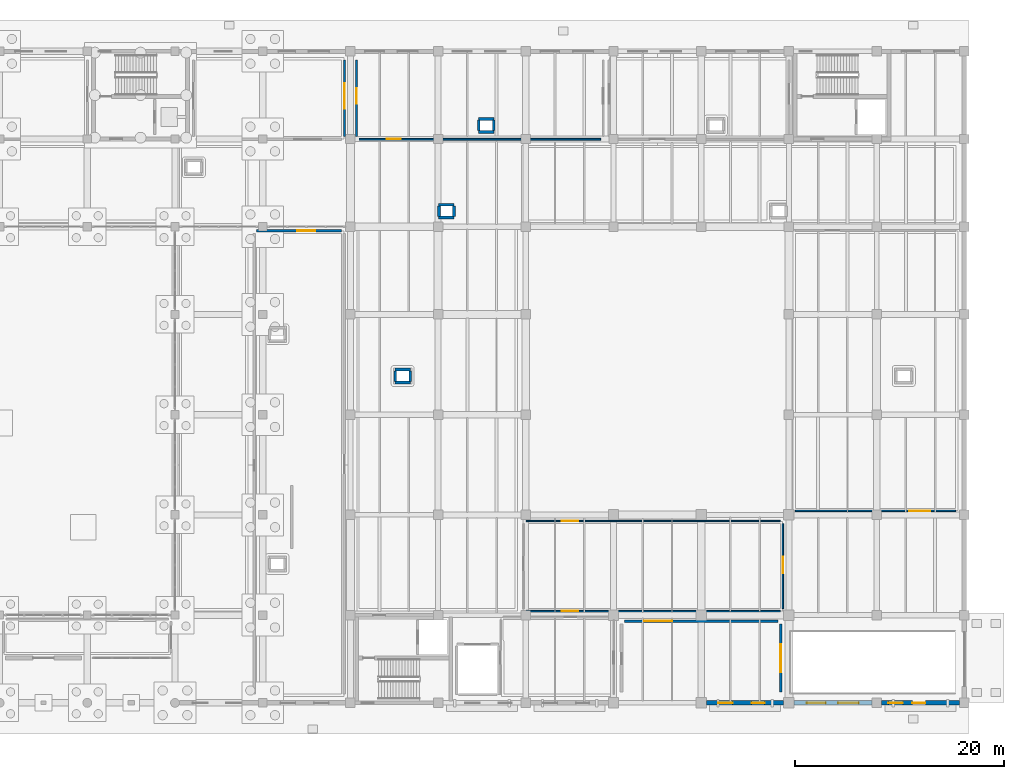
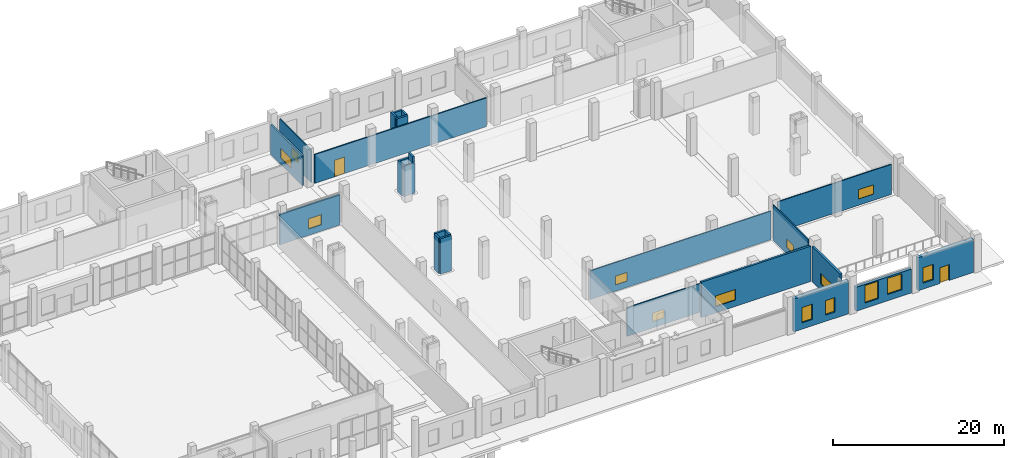
# One storey, part 47 of 65: 25 walls, 14 windows, 2 doors, 16 openings.
"""IFC4 building model written with IfcOpenShell, lengths in metres."""

from ifc_helpers import new_model, si_unit, direction, frame, frame_2d, origin, place, context, subcontext, project, spatial, rectangle, extrude, material, layer, layer_set, type_object, element, fill, save


model = new_model("IFC4")

# Units and contexts
model_context = context("Model", 3, precision=1e-05, world=origin(), true_north=direction((0.0, 1.0)))
body_context = subcontext(model_context, "Body", "Model", "MODEL_VIEW")
ifc_project = project(units=[si_unit("LENGTHUNIT", "METRE"), si_unit("AREAUNIT", "SQUARE_METRE"), si_unit("VOLUMEUNIT", "CUBIC_METRE"), si_unit("PLANEANGLEUNIT", "RADIAN"), si_unit("MASSUNIT", "GRAM", prefix="KILO")], contexts=[model_context])

# Site, building, storey
site_placement = place(None, origin())
site = spatial("IfcSite", under=ifc_project, at=site_placement, CompositionType="ELEMENT")
building_placement = place(site_placement, origin())
building = spatial("IfcBuilding", under=site, at=building_placement, Name="Zulmaris Art Gallery", CompositionType="ELEMENT")
storey_placement = place(building_placement, origin())
storey = spatial("IfcBuildingStorey", under=building, at=storey_placement, Name="L00", CompositionType="ELEMENT", Elevation=0.0)

# Wall, openings, windows
ifc_material_1 = material(Name="Omani Cream Limestone Ashlar Masonry", Category="masonry")
ifc_layer_1 = layer(ifc_material_1, 0.43994140625)
ifc_layer_set_1 = layer_set([ifc_layer_1], Name="Omani Cream Limestone Ashlar Masonry")
wall_type_1 = type_object("IfcWallType", Name="ENV-WALL-EW01", PredefinedType="SOLIDWALL", material=ifc_layer_set_1)
wall_1_placement = place(storey_placement, frame((175.701904296875, 13.199951171875, 0.0), z_axis=(0.0, 0.0, 1.0), x_axis=(1.0, 0.0, 0.0)))
wall_1 = element("IfcWall", 1, at=wall_1_placement, inside=storey, type_object=wall_type_1, Name="L00 V5 South Facade Bay 4", PredefinedType="SOLIDWALL", context=body_context, shape_type="SweptSolid", body=[
    extrude(rectangle(XDim=7.39599609375, YDim=0.43994140625, at=frame_2d((3.697998046875, 0.0))), origin(), (0.0, 0.0, 1.0), 4.68994140625),
])
opening_1_placement = place(wall_1_placement, frame((1.117919921875, 0.0, 0.89990234375)))
opening_1 = element("IfcOpeningElement", 2, at=opening_1_placement, cuts=wall_1, Name="Opening W04", PredefinedType="OPENING", context=body_context, shape_type="SweptSolid", body=[
    extrude(rectangle(XDim=1.39990234375, YDim=2.199951171875, at=frame_2d((0.699951171875, 1.10009765625))), frame((0.0, 0.22998046875, 0.0), z_axis=(0.0, -1.0, 0.0), x_axis=(1.0, 0.0, 0.0)), (0.0, 0.0, 1.0), 0.4599609375),
])
opening_2_placement = place(wall_1_placement, frame((4.318115234375, 0.0, 0.89990234375)))
opening_2 = element("IfcOpeningElement", 3, at=opening_2_placement, cuts=wall_1, Name="Opening W10", PredefinedType="OPENING", context=body_context, shape_type="SweptSolid", body=[
    extrude(rectangle(XDim=1.25, YDim=2.050048828125, at=frame_2d((0.625, 1.02490234375))), frame((0.0, 0.22998046875, 0.0), z_axis=(0.0, -1.0, 0.0), x_axis=(1.0, 0.0, 0.0)), (0.0, 0.0, 1.0), 0.4599609375),
])
ifc_material_2 = material(Name="Deep-Reveal Limestone Slot Window", Category="masonry")
window_type_1 = type_object("IfcWindowType", Name="WIN-W04", PartitioningType="SINGLE_PANEL", PredefinedType="WINDOW", material=ifc_material_2)
window_1_placement = place(opening_1_placement, origin())
window_1 = element("IfcWindow", 4, at=window_1_placement, inside=storey, type_object=window_type_1, Name="L00 exterior window W04", OverallHeight=2.199951171875, OverallWidth=1.39990234375, PartitioningType="SINGLE_PANEL", PredefinedType="WINDOW", context=body_context, shape_type="SweptSolid", body=[
    extrude(rectangle(XDim=1.39990234375, YDim=2.199951171875, at=frame_2d((0.699951171875, 1.10009765625))), frame((0.0, 0.030029296875, 0.0), z_axis=(0.0, -1.0, 0.0), x_axis=(1.0, 0.0, 0.0)), (0.0, 0.0, 1.0), 0.06005859375),
])
fill(opening_1, window_1)
ifc_material_3 = material(Name="Limestone Deep-Set Lancet Window", Category="masonry")
window_type_2 = type_object("IfcWindowType", Name="WIN-W10", PartitioningType="SINGLE_PANEL", PredefinedType="WINDOW", material=ifc_material_3)
window_2_placement = place(opening_2_placement, origin())
window_2 = element("IfcWindow", 5, at=window_2_placement, inside=storey, type_object=window_type_2, Name="L00 exterior window W10", OverallHeight=2.050048828125, OverallWidth=1.25, PartitioningType="SINGLE_PANEL", PredefinedType="WINDOW", context=body_context, shape_type="SweptSolid", body=[
    extrude(rectangle(XDim=1.25, YDim=2.050048828125, at=frame_2d((0.625, 1.02490234375))), frame((0.0, 0.030029296875, 0.0), z_axis=(0.0, -1.0, 0.0), x_axis=(1.0, 0.0, 0.0)), (0.0, 0.0, 1.0), 0.06005859375),
])
fill(opening_2, window_2)

wall_2_placement = place(storey_placement, frame((184.10205078125, 13.199951171875, 0.0), z_axis=(0.0, 0.0, 1.0), x_axis=(1.0, 0.0, 0.0)))
wall_2 = element("IfcWall", 6, at=wall_2_placement, inside=storey, type_object=wall_type_1, Name="L00 V5 South Service Facade Bay 5", PredefinedType="SOLIDWALL", context=body_context, shape_type="SweptSolid", body=[
    extrude(rectangle(XDim=7.446044921875, YDim=0.43994140625, at=frame_2d((3.72314453125, 0.0))), origin(), (0.0, 0.0, 1.0), 3.405029296875),
])
opening_3_placement = place(wall_2_placement, frame((1.218017578125, 0.0, 0.7548828125)))
opening_3 = element("IfcOpeningElement", 7, at=opening_3_placement, cuts=wall_2, Name="Opening W02", PredefinedType="OPENING", context=body_context, shape_type="SweptSolid", body=[
    extrude(rectangle(XDim=1.800048828125, YDim=2.5, at=frame_2d((0.89990234375, 1.25))), frame((0.0, 0.22998046875, 0.0), z_axis=(0.0, -1.0, 0.0), x_axis=(1.0, 0.0, 0.0)), (0.0, 0.0, 1.0), 0.4599609375),
])
opening_4_placement = place(wall_2_placement, frame((4.218017578125, 0.0, 0.89990234375)))
opening_4 = element("IfcOpeningElement", 8, at=opening_4_placement, cuts=wall_2, Name="Opening W08", PredefinedType="OPENING", context=body_context, shape_type="SweptSolid", body=[
    extrude(rectangle(XDim=1.949951171875, YDim=2.300048828125, at=frame_2d((0.97509765625, 1.14990234375))), frame((0.0, 0.22998046875, 0.0), z_axis=(0.0, -1.0, 0.0), x_axis=(1.0, 0.0, 0.0)), (0.0, 0.0, 1.0), 0.4599609375),
])
ifc_material_4 = material(Name="Double-Glazed Solar-Control Low-E Window", Category="glass")
window_type_3 = type_object("IfcWindowType", Name="WIN-W02", PartitioningType="SINGLE_PANEL", PredefinedType="WINDOW", material=ifc_material_4)
window_3_placement = place(opening_3_placement, origin())
window_3 = element("IfcWindow", 9, at=window_3_placement, inside=storey, type_object=window_type_3, Name="L00 exterior window W02", OverallHeight=2.5, OverallWidth=1.800048828125, PartitioningType="SINGLE_PANEL", PredefinedType="WINDOW", context=body_context, shape_type="SweptSolid", body=[
    extrude(rectangle(XDim=1.800048828125, YDim=2.5, at=frame_2d((0.89990234375, 1.25))), frame((0.0, 0.030029296875, 0.0), z_axis=(0.0, -1.0, 0.0), x_axis=(1.0, 0.0, 0.0)), (0.0, 0.0, 1.0), 0.06005859375),
])
fill(opening_3, window_3)
ifc_material_5 = material(Name="Curatorial North Studio Window", Category="glass")
window_type_4 = type_object("IfcWindowType", Name="WIN-W08", PartitioningType="SINGLE_PANEL", PredefinedType="WINDOW", material=ifc_material_5)
window_4_placement = place(opening_4_placement, origin())
window_4 = element("IfcWindow", 10, at=window_4_placement, inside=storey, type_object=window_type_4, Name="L00 exterior window W08", OverallHeight=2.300048828125, OverallWidth=1.949951171875, PartitioningType="SINGLE_PANEL", PredefinedType="WINDOW", context=body_context, shape_type="SweptSolid", body=[
    extrude(rectangle(XDim=1.949951171875, YDim=2.300048828125, at=frame_2d((0.97509765625, 1.14990234375))), frame((0.0, 0.030029296875, 0.0), z_axis=(0.0, -1.0, 0.0), x_axis=(1.0, 0.0, 0.0)), (0.0, 0.0, 1.0), 0.06005859375),
])
fill(opening_4, window_4)

# Wall, openings, door, window
wall_3_placement = place(storey_placement, frame((192.451904296875, 13.199951171875, 0.0), z_axis=(0.0, 0.0, 1.0), x_axis=(1.0, 0.0, 0.0)))
wall_3 = element("IfcWall", 11, at=wall_3_placement, inside=storey, type_object=wall_type_1, Name="L00 V5 Staff Entrance Facade", PredefinedType="SOLIDWALL", context=body_context, shape_type="SweptSolid", body=[
    extrude(rectangle(XDim=7.49609375, YDim=0.43994140625, at=frame_2d((3.748046875, 0.0))), origin(), (0.0, 0.0, 1.0), 4.68994140625),
])
opening_5_placement = place(wall_3_placement, frame((0.66796875, 0.0, 0.85009765625)))
opening_5 = element("IfcOpeningElement", 12, at=opening_5_placement, cuts=wall_3, Name="Opening W04", PredefinedType="OPENING", context=body_context, shape_type="SweptSolid", body=[
    extrude(rectangle(XDim=1.39990234375, YDim=2.199951171875, at=frame_2d((0.699951171875, 1.10009765625))), frame((0.0, 0.22998046875, 0.0), z_axis=(0.0, -1.0, 0.0), x_axis=(1.0, 0.0, 0.0)), (0.0, 0.0, 1.0), 0.4599609375),
])
opening_6_placement = place(wall_3_placement, frame((2.968017578125, 0.0, 0.0)))
opening_6 = element("IfcOpeningElement", 13, at=opening_6_placement, cuts=wall_3, Name="Opening ED04", PredefinedType="OPENING", context=body_context, shape_type="SweptSolid", body=[
    extrude(rectangle(XDim=1.25, YDim=2.25, at=frame_2d((0.625, 1.125))), frame((0.0, 0.22998046875, 0.0), z_axis=(0.0, -1.0, 0.0), x_axis=(1.0, 0.0, 0.0)), (0.0, 0.0, 1.0), 0.4599609375),
])
ifc_material_6 = material(Name="Staff & Cafe Exterior Door", Category="aluminium")
door_type_1 = type_object("IfcDoorType", Name="EDOOR-ED04", OperationType="SINGLE_SWING_RIGHT", PredefinedType="DOOR", material=ifc_material_6)
door_1_placement = place(opening_6_placement, origin())
door_1 = element("IfcDoor", 14, at=door_1_placement, inside=storey, type_object=door_type_1, Name="Staff & Curatorial Entrance Door", OperationType="SINGLE_SWING_RIGHT", OverallHeight=2.25, OverallWidth=1.25, PredefinedType="DOOR", context=body_context, shape_type="SweptSolid", body=[
    extrude(rectangle(XDim=1.25, YDim=2.25, at=frame_2d((0.625, 1.125))), frame((0.0, 0.02490234375, 0.0), z_axis=(0.0, -1.0, 0.0), x_axis=(1.0, 0.0, 0.0)), (0.0, 0.0, 1.0), 0.050048828125),
])
fill(opening_6, door_1)
window_5_placement = place(opening_5_placement, origin())
window_5 = element("IfcWindow", 15, at=window_5_placement, inside=storey, type_object=window_type_1, Name="L00 exterior window W04", OverallHeight=2.199951171875, OverallWidth=1.39990234375, PartitioningType="SINGLE_PANEL", PredefinedType="WINDOW", context=body_context, shape_type="SweptSolid", body=[
    extrude(rectangle(XDim=1.39990234375, YDim=2.199951171875, at=frame_2d((0.699951171875, 1.10009765625))), frame((0.0, 0.030029296875, 0.0), z_axis=(0.0, -1.0, 0.0), x_axis=(1.0, 0.0, 0.0)), (0.0, 0.0, 1.0), 0.06005859375),
])
fill(opening_5, window_5)

# Wall, opening, window
ifc_material_7 = material(Name="Light Gallery Backing Partition", Category="gypsum")
ifc_layer_2 = layer(ifc_material_7, 0.1298828125)
ifc_layer_set_2 = layer_set([ifc_layer_2], Name="Light Gallery Backing Partition")
wall_type_2 = type_object("IfcWallType", Name="IWALL-PW03", PredefinedType="PARTITIONING", material=ifc_layer_set_2)
wall_4_placement = place(storey_placement, frame((158.429931640625, 21.97998046875, 0.0), z_axis=(0.0, 0.0, 1.0), x_axis=(1.0, 0.0, 0.0)))
wall_4 = element("IfcWall", 16, at=wall_4_placement, inside=storey, type_object=wall_type_2, Name="Registrar Unpacking & Inspection Hall S partition", PredefinedType="PARTITIONING", context=body_context, shape_type="SweptSolid", body=[
    extrude(rectangle(XDim=24.340087890625, YDim=0.1298828125, at=frame_2d((12.169921875, 0.0))), origin(), (0.0, 0.0, 1.0), 4.090087890625),
])
opening_7_placement = place(wall_4_placement, frame((3.39990234375, 0.0, 0.89990234375)))
opening_7 = element("IfcOpeningElement", 17, at=opening_7_placement, cuts=wall_4, Name="Opening IW09", PredefinedType="OPENING", context=body_context, shape_type="SweptSolid", body=[
    extrude(rectangle(XDim=1.580078125, YDim=1.239990234375, at=frame_2d((0.7900390625, 0.6201171875))), frame((0.0, 0.074951171875, 0.0), z_axis=(0.0, -1.0, 0.0), x_axis=(1.0, 0.0, 0.0)), (0.0, 0.0, 1.0), 0.14990234375),
])
ifc_material_8 = material(Name="Registrar Inspection Glazing", Category="glass")
window_type_5 = type_object("IfcWindowType", Name="IWIN-IW09", PartitioningType="SINGLE_PANEL", PredefinedType="WINDOW", material=ifc_material_8)
window_6_placement = place(opening_7_placement, origin())
window_6 = element("IfcWindow", 18, at=window_6_placement, inside=storey, type_object=window_type_5, Name="L00 interior observation window IW09", OverallHeight=1.239990234375, OverallWidth=1.580078125, PartitioningType="SINGLE_PANEL", PredefinedType="WINDOW", context=body_context, shape_type="SweptSolid", body=[
    extrude(rectangle(XDim=1.580078125, YDim=1.239990234375, at=frame_2d((0.7900390625, 0.6201171875))), frame((0.0, 0.030029296875, 0.0), z_axis=(0.0, -1.0, 0.0), x_axis=(1.0, 0.0, 0.0)), (0.0, 0.0, 1.0), 0.06005859375),
])
fill(opening_7, window_6)

wall_5_placement = place(storey_placement, frame((158.429931640625, 30.6201171875, 0.0), z_axis=(0.0, 0.0, 1.0), x_axis=(1.0, 0.0, 0.0)))
wall_5 = element("IfcWall", 19, at=wall_5_placement, inside=storey, type_object=wall_type_2, Name="Registrar Unpacking & Inspection Hall N partition", PredefinedType="PARTITIONING", context=body_context, shape_type="SweptSolid", body=[
    extrude(rectangle(XDim=24.340087890625, YDim=0.1298828125, at=frame_2d((12.169921875, 0.0))), origin(), (0.0, 0.0, 1.0), 4.090087890625),
])
opening_8_placement = place(wall_5_placement, frame((3.39990234375, 0.0, 0.89990234375)))
opening_8 = element("IfcOpeningElement", 20, at=opening_8_placement, cuts=wall_5, Name="Opening IW09", PredefinedType="OPENING", context=body_context, shape_type="SweptSolid", body=[
    extrude(rectangle(XDim=1.580078125, YDim=1.239990234375, at=frame_2d((0.7900390625, 0.6201171875))), frame((0.0, 0.074951171875, 0.0), z_axis=(0.0, -1.0, 0.0), x_axis=(1.0, 0.0, 0.0)), (0.0, 0.0, 1.0), 0.14990234375),
])
window_7_placement = place(opening_8_placement, origin())
window_7 = element("IfcWindow", 21, at=window_7_placement, inside=storey, type_object=window_type_5, Name="L00 interior observation window IW09", OverallHeight=1.239990234375, OverallWidth=1.580078125, PartitioningType="SINGLE_PANEL", PredefinedType="WINDOW", context=body_context, shape_type="SweptSolid", body=[
    extrude(rectangle(XDim=1.580078125, YDim=1.239990234375, at=frame_2d((0.7900390625, 0.6201171875))), frame((0.0, 0.030029296875, 0.0), z_axis=(0.0, -1.0, 0.0), x_axis=(1.0, 0.0, 0.0)), (0.0, 0.0, 1.0), 0.06005859375),
])
fill(opening_8, window_7)

wall_6_placement = place(storey_placement, frame((183.02001953125, 22.22998046875, 0.0), z_axis=(0.0, 0.0, 1.0), x_axis=(0.0, 1.0, 0.0)))
wall_6 = element("IfcWall", 22, at=wall_6_placement, inside=storey, type_object=wall_type_2, Name="Registrar Unpacking & Inspection Hall E partition", PredefinedType="PARTITIONING", context=body_context, shape_type="SweptSolid", body=[
    extrude(rectangle(XDim=8.14013671875, YDim=0.1298828125, at=frame_2d((4.070068359375, 0.0))), origin(), (0.0, 0.0, 1.0), 5.0400390625),
])
opening_9_placement = place(wall_6_placement, frame((3.39990234375, 0.0, 0.89990234375)))
opening_9 = element("IfcOpeningElement", 23, at=opening_9_placement, cuts=wall_6, Name="Opening IW09", PredefinedType="OPENING", context=body_context, shape_type="SweptSolid", body=[
    extrude(rectangle(XDim=1.580078125, YDim=1.239990234375, at=frame_2d((0.7900390625, 0.6201171875))), frame((0.0, 0.074951171875, 0.0), z_axis=(0.0, -1.0, 0.0), x_axis=(1.0, 0.0, 0.0)), (0.0, 0.0, 1.0), 0.14990234375),
])
window_8_placement = place(opening_9_placement, origin())
window_8 = element("IfcWindow", 24, at=window_8_placement, inside=storey, type_object=window_type_5, Name="L00 interior observation window IW09", OverallHeight=1.239990234375, OverallWidth=1.580078125, PartitioningType="SINGLE_PANEL", PredefinedType="WINDOW", context=body_context, shape_type="SweptSolid", body=[
    extrude(rectangle(XDim=1.580078125, YDim=1.239990234375, at=frame_2d((0.7900390625, 0.6201171875))), frame((0.0, 0.030029296875, 0.0), z_axis=(0.0, -1.0, 0.0), x_axis=(1.0, 0.0, 0.0)), (0.0, 0.0, 1.0), 0.06005859375),
])
fill(opening_9, window_8)

ifc_material_9 = material(Name="Plywood-Backed Gallery Hanging Partition", Category="wood")
ifc_layer_3 = layer(ifc_material_9, 0.14501953125)
ifc_layer_set_3 = layer_set([ifc_layer_3], Name="Plywood-Backed Gallery Hanging Partition")
wall_type_3 = type_object("IfcWallType", Name="IWALL-PW04", PredefinedType="PARTITIONING", material=ifc_layer_set_3)
wall_7_placement = place(storey_placement, frame((184.22998046875, 31.580078125, 0.0), z_axis=(0.0, 0.0, 1.0), x_axis=(1.0, 0.0, 0.0)))
wall_7 = element("IfcWall", 25, at=wall_7_placement, inside=storey, type_object=wall_type_3, Name="Exhibition Mount-Making Workshop S partition", PredefinedType="PARTITIONING", context=body_context, shape_type="SweptSolid", body=[
    extrude(rectangle(XDim=15.340087890625, YDim=0.14501953125, at=frame_2d((7.669921875, 0.0))), origin(), (0.0, 0.0, 1.0), 4.2900390625),
])
opening_10_placement = place(wall_7_placement, frame((10.89990234375, 0.0, 0.89990234375)))
opening_10 = element("IfcOpeningElement", 26, at=opening_10_placement, cuts=wall_7, Name="Opening IW10", PredefinedType="OPENING", context=body_context, shape_type="SweptSolid", body=[
    extrude(rectangle(XDim=2.02001953125, YDim=1.320068359375, at=frame_2d((1.010009765625, 0.66015625))), frame((0.0, 0.08251953125, 0.0), z_axis=(0.0, -1.0, 0.0), x_axis=(1.0, 0.0, 0.0)), (0.0, 0.0, 1.0), 0.1650390625),
])
ifc_material_10 = material(Name="Seminar Acoustic Viewing Window", Category="glass")
window_type_6 = type_object("IfcWindowType", Name="IWIN-IW10", PartitioningType="SINGLE_PANEL", PredefinedType="WINDOW", material=ifc_material_10)
window_9_placement = place(opening_10_placement, origin())
window_9 = element("IfcWindow", 27, at=window_9_placement, inside=storey, type_object=window_type_6, Name="L00 interior observation window IW10", OverallHeight=1.320068359375, OverallWidth=2.02001953125, PartitioningType="SINGLE_PANEL", PredefinedType="WINDOW", context=body_context, shape_type="SweptSolid", body=[
    extrude(rectangle(XDim=2.02001953125, YDim=1.320068359375, at=frame_2d((1.010009765625, 0.66015625))), frame((0.0, 0.030029296875, 0.0), z_axis=(0.0, -1.0, 0.0), x_axis=(1.0, 0.0, 0.0)), (0.0, 0.0, 1.0), 0.06005859375),
])
fill(opening_10, window_9)

# Wall, opening, door
ifc_material_11 = material(Name="Timber-Backed Heavy Artwork Display Partition", Category="wood")
ifc_layer_4 = layer(ifc_material_11, 0.159912109375)
ifc_layer_set_4 = layer_set([ifc_layer_4], Name="Timber-Backed Heavy Artwork Display Partition")
wall_type_4 = type_object("IfcWallType", Name="IWALL-PW05", PredefinedType="PARTITIONING", material=ifc_layer_set_4)
wall_8_placement = place(storey_placement, frame((142.429931640625, 67.179931640625, 0.0), z_axis=(0.0, 0.0, 1.0), x_axis=(1.0, 0.0, 0.0)))
wall_8 = element("IfcWall", 28, at=wall_8_placement, inside=storey, type_object=wall_type_4, Name="Electrical Substation & Switchgear Hall S partition", PredefinedType="PARTITIONING", context=body_context, shape_type="SweptSolid", body=[
    extrude(rectangle(XDim=23.14013671875, YDim=0.159912109375, at=frame_2d((11.570068359375, 0.0))), origin(), (0.0, 0.0, 1.0), 4.090087890625),
])
opening_11_placement = place(wall_8_placement, frame((2.64990234375, 0.0, 0.0)))
opening_11 = element("IfcOpeningElement", 29, at=opening_11_placement, cuts=wall_8, Name="Opening D11", PredefinedType="OPENING", context=body_context, shape_type="SweptSolid", body=[
    extrude(rectangle(XDim=1.360107421875, YDim=2.360107421875, at=frame_2d((0.68017578125, 1.18017578125))), frame((0.0, 0.08984375, 0.0), z_axis=(0.0, -1.0, 0.0), x_axis=(1.0, 0.0, 0.0)), (0.0, 0.0, 1.0), 0.179931640625),
])
ifc_material_12 = material(Name="Workshop Acoustic Steel Door", Category="steel")
door_type_2 = type_object("IfcDoorType", Name="IDOOR-D11", OperationType="NOTDEFINED", PredefinedType="DOOR", material=ifc_material_12)
door_2_placement = place(opening_11_placement, origin())
door_2 = element("IfcDoor", 30, at=door_2_placement, inside=storey, type_object=door_type_2, Name="Electrical Substation & Switchgear Hall Door", OperationType="SINGLE_SWING_RIGHT", OverallHeight=2.360107421875, OverallWidth=1.360107421875, PredefinedType="DOOR", context=body_context, shape_type="SweptSolid", body=[
    extrude(rectangle(XDim=1.360107421875, YDim=2.360107421875, at=frame_2d((0.68017578125, 1.18017578125))), frame((0.0, 0.02490234375, 0.0), z_axis=(0.0, -1.0, 0.0), x_axis=(1.0, 0.0, 0.0)), (0.0, 0.0, 1.0), 0.050048828125),
])
fill(opening_11, door_2)

# Wall, opening, window
wall_9_placement = place(storey_placement, frame((142.179931640625, 67.429931640625, 0.0), z_axis=(0.0, 0.0, 1.0), x_axis=(0.0, 1.0, 0.0)))
wall_9 = element("IfcWall", 31, at=wall_9_placement, inside=storey, type_object=wall_type_4, Name="Electrical Substation & Switchgear Hall W partition", PredefinedType="PARTITIONING", context=body_context, shape_type="SweptSolid", body=[
    extrude(rectangle(XDim=7.340087890625, YDim=0.159912109375, at=frame_2d((3.669921875, 0.0))), origin(), (0.0, 0.0, 1.0), 4.64990234375),
])
opening_12_placement = place(wall_9_placement, frame((3.14990234375, 0.0, 0.89990234375)))
opening_12 = element("IfcOpeningElement", 32, at=opening_12_placement, cuts=wall_9, Name="Opening IW01", PredefinedType="OPENING", context=body_context, shape_type="SweptSolid", body=[
    extrude(rectangle(XDim=1.47998046875, YDim=1.35009765625, at=frame_2d((0.739990234375, 0.675048828125))), frame((0.0, 0.08984375, 0.0), z_axis=(0.0, -1.0, 0.0), x_axis=(1.0, 0.0, 0.0)), (0.0, 0.0, 1.0), 0.179931640625),
])
ifc_material_13 = material(Name="Conservation Studio Viewing Window", Category="glass")
window_type_7 = type_object("IfcWindowType", Name="IWIN-IW01", PartitioningType="SINGLE_PANEL", PredefinedType="WINDOW", material=ifc_material_13)
window_10_placement = place(opening_12_placement, origin())
window_10 = element("IfcWindow", 33, at=window_10_placement, inside=storey, type_object=window_type_7, Name="L00 interior observation window IW01", OverallHeight=1.35009765625, OverallWidth=1.47998046875, PartitioningType="SINGLE_PANEL", PredefinedType="WINDOW", context=body_context, shape_type="SweptSolid", body=[
    extrude(rectangle(XDim=1.47998046875, YDim=1.35009765625, at=frame_2d((0.739990234375, 0.675048828125))), frame((0.0, 0.030029296875, 0.0), z_axis=(0.0, -1.0, 0.0), x_axis=(1.0, 0.0, 0.0)), (0.0, 0.0, 1.0), 0.06005859375),
])
fill(opening_12, window_10)

ifc_material_14 = material(Name="Fire-Rated Corridor Compartment Wall", Category="masonry")
ifc_layer_5 = layer(ifc_material_14, 0.205078125)
ifc_layer_set_5 = layer_set([ifc_layer_5], Name="Fire-Rated Corridor Compartment Wall")
wall_type_5 = type_object("IfcWallType", Name="IWALL-PW08", PredefinedType="PARTITIONING", material=ifc_layer_set_5)
wall_10_placement = place(storey_placement, frame((141.02001953125, 67.429931640625, 0.0), z_axis=(0.0, 0.0, 1.0), x_axis=(0.0, 1.0, 0.0)))
wall_10 = element("IfcWall", 34, at=wall_10_placement, inside=storey, type_object=wall_type_5, Name="Decorative Arts & Silverwork Gallery E partition", PredefinedType="PARTITIONING", context=body_context, shape_type="SweptSolid", body=[
    extrude(rectangle(XDim=7.340087890625, YDim=0.205078125, at=frame_2d((3.669921875, 0.0))), origin(), (0.0, 0.0, 1.0), 4.2900390625),
])
opening_13_placement = place(wall_10_placement, frame((2.64990234375, 0.0, 0.89990234375)))
opening_13 = element("IfcOpeningElement", 35, at=opening_13_placement, cuts=wall_10, Name="Opening IW05", PredefinedType="OPENING", context=body_context, shape_type="SweptSolid", body=[
    extrude(rectangle(XDim=2.4599609375, YDim=1.3798828125, at=frame_2d((1.22998046875, 0.68994140625))), frame((0.0, 0.112548828125, 0.0), z_axis=(0.0, -1.0, 0.0), x_axis=(1.0, 0.0, 0.0)), (0.0, 0.0, 1.0), 0.22509765625),
])
ifc_material_15 = material(Name="Workshop Safety Observation Window", Category="glass")
window_type_8 = type_object("IfcWindowType", Name="IWIN-IW05", PartitioningType="SINGLE_PANEL", PredefinedType="WINDOW", material=ifc_material_15)
window_11_placement = place(opening_13_placement, origin())
window_11 = element("IfcWindow", 36, at=window_11_placement, inside=storey, type_object=window_type_8, Name="L00 interior observation window IW05", OverallHeight=1.3798828125, OverallWidth=2.4599609375, PartitioningType="SINGLE_PANEL", PredefinedType="WINDOW", context=body_context, shape_type="SweptSolid", body=[
    extrude(rectangle(XDim=2.4599609375, YDim=1.3798828125, at=frame_2d((1.22998046875, 0.68994140625))), frame((0.0, 0.030029296875, 0.0), z_axis=(0.0, -1.0, 0.0), x_axis=(1.0, 0.0, 0.0)), (0.0, 0.0, 1.0), 0.06005859375),
])
fill(opening_13, window_11)

ifc_material_16 = material(Name="Hygrometric Art Store Buffer Wall", Category="masonry")
ifc_layer_6 = layer(ifc_material_16, 0.219970703125)
ifc_layer_set_6 = layer_set([ifc_layer_6], Name="Hygrometric Art Store Buffer Wall")
wall_type_6 = type_object("IfcWallType", Name="IWALL-PW09", PredefinedType="PARTITIONING", material=ifc_layer_set_6)
wall_11_placement = place(storey_placement, frame((132.6298828125, 58.419921875, 0.0), z_axis=(0.0, 0.0, 1.0), x_axis=(1.0, 0.0, 0.0)))
wall_11 = element("IfcWall", 37, at=wall_11_placement, inside=storey, type_object=wall_type_6, Name="Temporary Exhibition Gallery East N partition", PredefinedType="PARTITIONING", context=body_context, shape_type="SweptSolid", body=[
    extrude(rectangle(XDim=8.14013671875, YDim=0.219970703125, at=frame_2d((4.070068359375, 0.0))), origin(), (0.0, 0.0, 1.0), 4.2900390625),
])
opening_14_placement = place(wall_11_placement, frame((3.89990234375, 0.0, 0.89990234375)))
opening_14 = element("IfcOpeningElement", 38, at=opening_14_placement, cuts=wall_11, Name="Opening IW06", PredefinedType="OPENING", context=body_context, shape_type="SweptSolid", body=[
    extrude(rectangle(XDim=1.719970703125, YDim=1.4599609375, at=frame_2d((0.85986328125, 0.72998046875))), frame((0.0, 0.119873046875, 0.0), z_axis=(0.0, -1.0, 0.0), x_axis=(1.0, 0.0, 0.0)), (0.0, 0.0, 1.0), 0.239990234375),
])
ifc_material_17 = material(Name="Library Reading Room Internal Glazing", Category="glass")
window_type_9 = type_object("IfcWindowType", Name="IWIN-IW06", PartitioningType="SINGLE_PANEL", PredefinedType="WINDOW", material=ifc_material_17)
window_12_placement = place(opening_14_placement, origin())
window_12 = element("IfcWindow", 39, at=window_12_placement, inside=storey, type_object=window_type_9, Name="L00 interior observation window IW06", OverallHeight=1.4599609375, OverallWidth=1.719970703125, PartitioningType="SINGLE_PANEL", PredefinedType="WINDOW", context=body_context, shape_type="SweptSolid", body=[
    extrude(rectangle(XDim=1.719970703125, YDim=1.4599609375, at=frame_2d((0.85986328125, 0.72998046875))), frame((0.0, 0.030029296875, 0.0), z_axis=(0.0, -1.0, 0.0), x_axis=(1.0, 0.0, 0.0)), (0.0, 0.0, 1.0), 0.06005859375),
])
fill(opening_14, window_12)

# Walls
ifc_material_18 = material(Name="MEP Riser & Smoke Shaft Enclosure Wall", Category="masonry")
ifc_layer_7 = layer(ifc_material_18, 0.2548828125)
ifc_layer_set_7 = layer_set([ifc_layer_7], Name="MEP Riser & Smoke Shaft Enclosure Wall")
wall_type_7 = type_object("IfcWallType", Name="IWALL-PW11", PredefinedType="PARTITIONING", material=ifc_layer_set_7)
for number, where, z_axis, x_axis, name in (
    (40, (150.06005859375, 60.919921875, 0.0), (0.0, 0.0, 1.0), (1.0, 0.0, 0.0), "L00 MEP Riser 13 N wall"),
    (41, (150.06005859375, 59.679931640625, 0.0), (0.0, 0.0, 1.0), (1.0, 0.0, 0.0), "L00 MEP Riser 13 S wall"),
):
    element("IfcWall", number, at=place(storey_placement, frame(where, z_axis=z_axis, x_axis=x_axis)), inside=storey, type_object=wall_type_7, Name=name, PredefinedType="PARTITIONING", context=body_context, shape_type="SweptSolid", body=[
        extrude(rectangle(XDim=1.47998046875, YDim=0.2548828125, at=frame_2d((0.739990234375, 0.0))), origin(), (0.0, 0.0, 1.0), 4.2900390625),
    ])
wall_12_placement = place(storey_placement, frame((150.080078125, 59.800048828125, 0.0), z_axis=(0.0, 0.0, 1.0), x_axis=(0.0, 1.0, 0.0)))
element("IfcWall", 42, at=wall_12_placement, inside=storey, type_object=wall_type_7, Name="L00 MEP Riser 13 W wall", PredefinedType="PARTITIONING", context=body_context, shape_type="SweptSolid", body=[
    extrude(rectangle(XDim=1.0, YDim=0.2548828125, at=frame_2d((0.5, 0.0))), origin(), (0.0, 0.0, 1.0), 4.2900390625),
])
wall_13_placement = place(storey_placement, frame((151.52001953125, 59.800048828125, 0.0), z_axis=(0.0, 0.0, 1.0), x_axis=(0.0, 1.0, 0.0)))
element("IfcWall", 43, at=wall_13_placement, inside=storey, type_object=wall_type_7, Name="L00 MEP Riser 13 E wall", PredefinedType="PARTITIONING", context=body_context, shape_type="SweptSolid", body=[
    extrude(rectangle(XDim=1.0, YDim=0.2548828125, at=frame_2d((0.5, 0.0))), origin(), (0.0, 0.0, 1.0), 5.0400390625),
])
for number, where, z_axis, x_axis, name in (
    (44, (153.860107421875, 69.1201171875, 0.0), (0.0, 0.0, 1.0), (1.0, 0.0, 0.0), "L00 MEP Riser 15 N wall"),
    (45, (153.860107421875, 67.8798828125, 0.0), (0.0, 0.0, 1.0), (1.0, 0.0, 0.0), "L00 MEP Riser 15 S wall"),
):
    element("IfcWall", number, at=place(storey_placement, frame(where, z_axis=z_axis, x_axis=x_axis)), inside=storey, type_object=wall_type_7, Name=name, PredefinedType="PARTITIONING", context=body_context, shape_type="SweptSolid", body=[
        extrude(rectangle(XDim=1.47998046875, YDim=0.2548828125, at=frame_2d((0.739990234375, 0.0))), origin(), (0.0, 0.0, 1.0), 4.77001953125),
    ])
wall_14_placement = place(storey_placement, frame((153.8798828125, 68.0, 0.0), z_axis=(0.0, 0.0, 1.0), x_axis=(0.0, 1.0, 0.0)))
element("IfcWall", 46, at=wall_14_placement, inside=storey, type_object=wall_type_7, Name="L00 MEP Riser 15 W wall", PredefinedType="PARTITIONING", context=body_context, shape_type="SweptSolid", body=[
    extrude(rectangle(XDim=1.0, YDim=0.2548828125, at=frame_2d((0.5, 0.0))), origin(), (0.0, 0.0, 1.0), 5.0400390625),
])
wall_15_placement = place(storey_placement, frame((155.320068359375, 68.0, 0.0), z_axis=(0.0, 0.0, 1.0), x_axis=(0.0, 1.0, 0.0)))
element("IfcWall", 47, at=wall_15_placement, inside=storey, type_object=wall_type_7, Name="L00 MEP Riser 15 E wall", PredefinedType="PARTITIONING", context=body_context, shape_type="SweptSolid", body=[
    extrude(rectangle(XDim=1.0, YDim=0.2548828125, at=frame_2d((0.5, 0.0))), origin(), (0.0, 0.0, 1.0), 4.77001953125),
])
for number, where, z_axis, x_axis, name in (
    (48, (145.860107421875, 45.1201171875, 0.0), (0.0, 0.0, 1.0), (1.0, 0.0, 0.0), "L00 MEP Riser 17 N wall"),
    (49, (145.860107421875, 43.8798828125, 0.0), (0.0, 0.0, 1.0), (1.0, 0.0, 0.0), "L00 MEP Riser 17 S wall"),
):
    element("IfcWall", number, at=place(storey_placement, frame(where, z_axis=z_axis, x_axis=x_axis)), inside=storey, type_object=wall_type_7, Name=name, PredefinedType="PARTITIONING", context=body_context, shape_type="SweptSolid", body=[
        extrude(rectangle(XDim=1.47998046875, YDim=0.2548828125, at=frame_2d((0.739990234375, 0.0))), origin(), (0.0, 0.0, 1.0), 5.0400390625),
    ])
for number, where, z_axis, x_axis, name in (
    (50, (145.8798828125, 44.0, 0.0), (0.0, 0.0, 1.0), (0.0, 1.0, 0.0), "L00 MEP Riser 17 W wall"),
    (51, (147.320068359375, 44.0, 0.0), (0.0, 0.0, 1.0), (0.0, 1.0, 0.0), "L00 MEP Riser 17 E wall"),
):
    element("IfcWall", number, at=place(storey_placement, frame(where, z_axis=z_axis, x_axis=x_axis)), inside=storey, type_object=wall_type_7, Name=name, PredefinedType="PARTITIONING", context=body_context, shape_type="SweptSolid", body=[
        extrude(rectangle(XDim=1.0, YDim=0.2548828125, at=frame_2d((0.5, 0.0))), origin(), (0.0, 0.0, 1.0), 5.0400390625),
    ])

# Wall, opening, window
ifc_material_19 = material(Name="Plant & Substation Acoustic Blockwork Wall", Category="masonry")
ifc_layer_8 = layer(ifc_material_19, 0.27001953125)
ifc_layer_set_8 = layer_set([ifc_layer_8], Name="Plant & Substation Acoustic Blockwork Wall")
wall_type_8 = type_object("IfcWallType", Name="IWALL-PW12", PredefinedType="PARTITIONING", material=ifc_layer_set_8)
wall_16_placement = place(storey_placement, frame((167.830078125, 21.02001953125, 0.0), z_axis=(0.0, 0.0, 1.0), x_axis=(1.0, 0.0, 0.0)))
wall_16 = element("IfcWall", 52, at=wall_16_placement, inside=storey, type_object=wall_type_8, Name="Art Truck Loading Dock N partition", PredefinedType="PARTITIONING", context=body_context, shape_type="SweptSolid", body=[
    extrude(rectangle(XDim=14.739990234375, YDim=0.27001953125, at=frame_2d((7.3701171875, 0.0))), origin(), (0.0, 0.0, 1.0), 5.0400390625),
])
opening_15_placement = place(wall_16_placement, frame((1.89990234375, 0.0, 0.89990234375)))
opening_15 = element("IfcOpeningElement", 53, at=opening_15_placement, cuts=wall_16, Name="Opening IW07", PredefinedType="OPENING", context=body_context, shape_type="SweptSolid", body=[
    extrude(rectangle(XDim=2.679931640625, YDim=1.52001953125, at=frame_2d((1.33984375, 0.760009765625))), frame((0.0, 0.14501953125, 0.0), z_axis=(0.0, -1.0, 0.0), x_axis=(1.0, 0.0, 0.0)), (0.0, 0.0, 1.0), 0.2900390625),
])
ifc_material_20 = material(Name="Artists Salon Overlook Glazing", Category="glass")
window_type_10 = type_object("IfcWindowType", Name="IWIN-IW07", PartitioningType="SINGLE_PANEL", PredefinedType="WINDOW", material=ifc_material_20)
window_13_placement = place(opening_15_placement, origin())
window_13 = element("IfcWindow", 54, at=window_13_placement, inside=storey, type_object=window_type_10, Name="L00 interior observation window IW07", OverallHeight=1.52001953125, OverallWidth=2.679931640625, PartitioningType="SINGLE_PANEL", PredefinedType="WINDOW", context=body_context, shape_type="SweptSolid", body=[
    extrude(rectangle(XDim=2.679931640625, YDim=1.52001953125, at=frame_2d((1.33984375, 0.760009765625))), frame((0.0, 0.030029296875, 0.0), z_axis=(0.0, -1.0, 0.0), x_axis=(1.0, 0.0, 0.0)), (0.0, 0.0, 1.0), 0.06005859375),
])
fill(opening_15, window_13)

wall_17_placement = place(storey_placement, frame((182.820068359375, 14.22998046875, 0.0), z_axis=(0.0, 0.0, 1.0), x_axis=(0.0, 1.0, 0.0)))
wall_17 = element("IfcWall", 55, at=wall_17_placement, inside=storey, type_object=wall_type_8, Name="Art Truck Loading Dock E partition", PredefinedType="PARTITIONING", context=body_context, shape_type="SweptSolid", body=[
    extrude(rectangle(XDim=6.5400390625, YDim=0.27001953125, at=frame_2d((3.27001953125, 0.0))), origin(), (0.0, 0.0, 1.0), 5.0400390625),
])
opening_16_placement = place(wall_17_placement, frame((1.89990234375, 0.0, 0.89990234375)))
opening_16 = element("IfcOpeningElement", 56, at=opening_16_placement, cuts=wall_17, Name="Opening IW07", PredefinedType="OPENING", context=body_context, shape_type="SweptSolid", body=[
    extrude(rectangle(XDim=2.679931640625, YDim=1.52001953125, at=frame_2d((1.33984375, 0.760009765625))), frame((0.0, 0.14501953125, 0.0), z_axis=(0.0, -1.0, 0.0), x_axis=(1.0, 0.0, 0.0)), (0.0, 0.0, 1.0), 0.2900390625),
])
window_14_placement = place(opening_16_placement, origin())
window_14 = element("IfcWindow", 57, at=window_14_placement, inside=storey, type_object=window_type_10, Name="L00 interior observation window IW07", OverallHeight=1.52001953125, OverallWidth=2.679931640625, PartitioningType="SINGLE_PANEL", PredefinedType="WINDOW", context=body_context, shape_type="SweptSolid", body=[
    extrude(rectangle(XDim=2.679931640625, YDim=1.52001953125, at=frame_2d((1.33984375, 0.760009765625))), frame((0.0, 0.030029296875, 0.0), z_axis=(0.0, -1.0, 0.0), x_axis=(1.0, 0.0, 0.0)), (0.0, 0.0, 1.0), 0.06005859375),
])
fill(opening_16, window_14)

save(model, "model.ifc")
